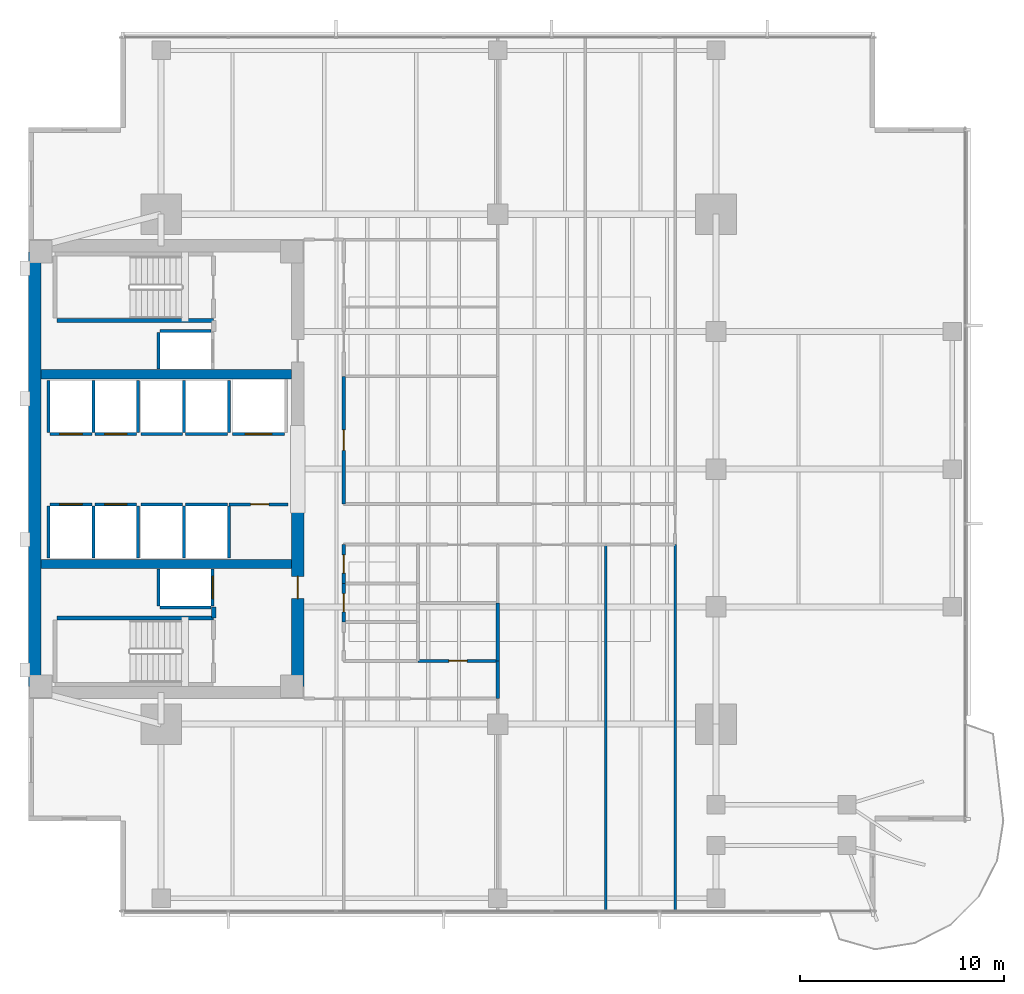
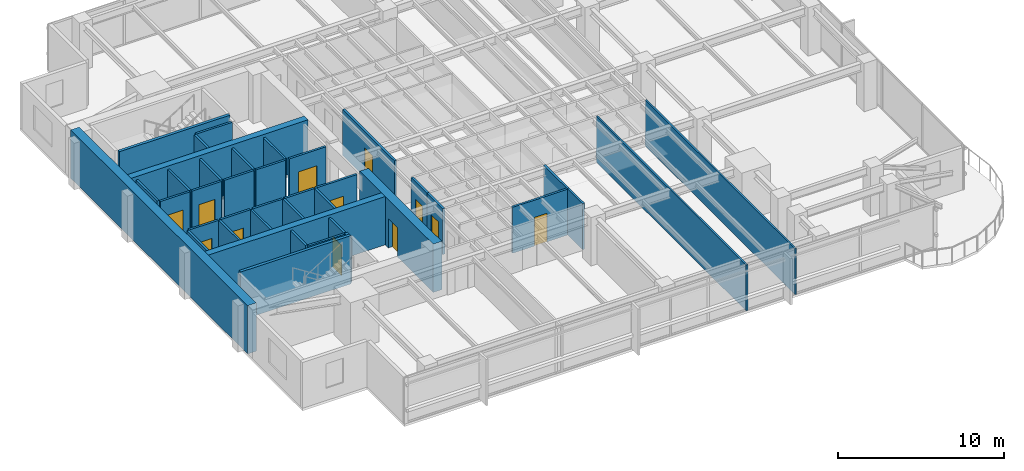
# One storey, part 8 of 14: 40 walls, 12 doors, 12 openings.
"""IFC4 building model written with IfcOpenShell, lengths in metres."""

import ifcopenshell
import ifcopenshell.guid

model = None  # the IFC model being written
_history = None  # IfcOwnerHistory: only IFC2X3 demands one
_inside = {}  # id of a spatial element -> (the spatial element, [elements in it])
_under = {}  # id of a project, library or spatial element -> (it, [spatial elements below it])
_declared = {}  # id of a project -> (the project, [libraries it declares])
_typed = {}  # id of a type object -> (the type object, [elements of that type])
_made_of = {}  # id of a material, layer set ... -> (it, [elements and type objects made of it])


def new_model(schema):
    """Start an empty IFC model of exactly this schema.

    Asked for "IFC4X3", IfcOpenShell would pick the latest addendum, in which some entities
    have other attributes; the version numbers below select the first issue.
    IFC2X3 requires an IfcOwnerHistory on every rooted entity: one is made here for all.
    """
    global model, _history
    if schema == "IFC4X3":
        model = ifcopenshell.file(schema_version=(4, 3, 0, 0))
    else:
        model = ifcopenshell.file(schema=schema)
    _inside.clear()
    _under.clear()
    _declared.clear()
    _typed.clear()
    _made_of.clear()
    _history = None
    if model.schema == "IFC2X3":
        org = make("IfcOrganization", Name="unknown")
        user = make(
            "IfcPersonAndOrganization",
            ThePerson=make("IfcPerson", FamilyName="unknown"),
            TheOrganization=org,
        )
        app = make(
            "IfcApplication",
            ApplicationDeveloper=org,
            Version="unknown",
            ApplicationFullName="unknown",
            ApplicationIdentifier="unknown",
        )
        _history = make(
            "IfcOwnerHistory",
            OwningUser=user,
            OwningApplication=app,
            ChangeAction="ADDED",
            CreationDate=0,
        )
    return model


def make(cls, **values):
    """One entity of the class cls with the attributes given. An attribute that is None is left unset."""
    return model.create_entity(
        cls, **{name: value for name, value in values.items() if value is not None}
    )


def rooted(cls, **values):
    """An entity with a GlobalId (a new one), such as an element, a storey or a relation."""
    return make(cls, GlobalId=ifcopenshell.guid.new(), OwnerHistory=_history, **values)


def si_unit(unit_type, name, prefix=None):
    """IfcSIUnit, for example si_unit("LENGTHUNIT", "METRE", prefix="MILLI")."""
    return make("IfcSIUnit", UnitType=unit_type, Prefix=prefix, Name=name)


def assignment(units):
    """IfcUnitAssignment: the units of a project."""
    return None if units is None else make("IfcUnitAssignment", Units=units)


def point(xyz):
    """IfcCartesianPoint."""
    return None if xyz is None else make("IfcCartesianPoint", Coordinates=xyz)


def direction(xyz):
    """IfcDirection."""
    return None if xyz is None else make("IfcDirection", DirectionRatios=xyz)


def frame(location, z_axis=None, x_axis=None):
    """IfcAxis2Placement3D, a coordinate frame: its origin and axes. An axis left out is left unset."""
    return make(
        "IfcAxis2Placement3D",
        Location=point(location),
        Axis=direction(z_axis),
        RefDirection=direction(x_axis),
    )


def frame_2d(location, x_axis=None):
    """IfcAxis2Placement2D, a coordinate frame in the plane: its origin and x axis."""
    return make(
        "IfcAxis2Placement2D", Location=point(location), RefDirection=direction(x_axis)
    )


def origin():
    """The frame at (0, 0, 0) with its axes left unset."""
    return frame((0.0, 0.0, 0.0))


def place(relative_to, where):
    """IfcLocalPlacement: puts the frame where relative to a parent placement (None: the world)."""
    return make(
        "IfcLocalPlacement", PlacementRelTo=relative_to, RelativePlacement=where
    )


def context(
    kind, dimensions, precision=None, world=None, true_north=None, identifier=None
):
    """IfcGeometricRepresentationContext, for example the 3D "Model" context."""
    return make(
        "IfcGeometricRepresentationContext",
        ContextIdentifier=identifier,
        ContextType=kind,
        CoordinateSpaceDimension=dimensions,
        Precision=precision,
        WorldCoordinateSystem=world,
        TrueNorth=true_north,
    )


def subcontext(parent, identifier, kind, view, scale=None):
    """IfcGeometricRepresentationSubContext, for example "Body" below "Model"."""
    return make(
        "IfcGeometricRepresentationSubContext",
        ContextIdentifier=identifier,
        ContextType=kind,
        ParentContext=parent,
        TargetScale=scale,
        TargetView=view,
    )


def project(units=None, contexts=None):
    """IfcProject with its units and contexts."""
    return rooted(
        "IfcProject",
        Name="project",
        RepresentationContexts=contexts,
        UnitsInContext=assignment(units),
    )


def spatial(cls, under=None, at=None, **own):
    """A site, building, storey or space (cls), placed at a placement, below another one or the project."""
    s = rooted(cls, ObjectPlacement=at, **own)
    if under is not None:
        _under.setdefault(under.id(), (under, []))[1].append(s)
    return s


def profile(cls, at=None, kind="AREA", **sizes):
    """A parametric profile (cls). Its sizes go by their IFC names, for example OverallWidth=200.0."""
    return make(cls, ProfileType=kind, Position=at, **sizes)


def rectangle(**sizes):
    """IfcRectangleProfileDef."""
    return profile("IfcRectangleProfileDef", **sizes)


def extrude(swept, where, along, depth):
    """IfcExtrudedAreaSolid: the profile swept, set in the frame where, extruded along a direction by depth."""
    return make(
        "IfcExtrudedAreaSolid",
        SweptArea=swept,
        Position=where,
        ExtrudedDirection=direction(along),
        Depth=depth,
    )


def shape(context_of_items, identifier, shape_type, items):
    """IfcShapeRepresentation: the items that make up one representation, for example the "Body"."""
    return make(
        "IfcShapeRepresentation",
        ContextOfItems=context_of_items,
        RepresentationIdentifier=identifier,
        RepresentationType=shape_type,
        Items=items,
    )


def material(Name=None, Category=None):
    """IfcMaterial."""
    return make("IfcMaterial", Name=Name, Category=Category)


def layer(
    of_material, thickness, ventilated=None, Name=None, Category=None, Priority=None
):
    """IfcMaterialLayer: one layer of a wall or slab, of a material (None: an air gap)."""
    return make(
        "IfcMaterialLayer",
        Material=of_material,
        LayerThickness=thickness,
        IsVentilated=ventilated,
        Name=Name,
        Category=Category,
        Priority=Priority,
    )


def layer_set(layers, Name=None):
    """IfcMaterialLayerSet."""
    return make("IfcMaterialLayerSet", MaterialLayers=layers, LayerSetName=Name)


def made_of(thing, what):
    """Note that an element or type object is made of a material, layer set ...; save() writes the relation."""
    if what is not None:
        _made_of.setdefault(what.id(), (what, []))[1].append(thing)
    return thing


def type_object(cls, material=None, **own):
    """A type object (cls), such as IfcWallType, which elements share."""
    return made_of(rooted(cls, **own), material)


def element(
    cls,
    number,
    at=None,
    inside=None,
    cuts=None,
    type_object=None,
    material=None,
    context=None,
    identifier="Body",
    shape_type=None,
    held_by="IfcProductDefinitionShape",
    body=None,
    shapes=None,
    **own,
):
    """One element of the class cls, such as IfcWall. Its Tag is "e" and its number.

    at: its placement. inside: the storey or other place that contains it. cuts: it is an
    opening in that element (IfcRelVoidsElement). A single representation is given by context,
    identifier, shape_type and body (its items); several are given by shapes. held_by: the class
    of the entity that holds the representations. save() writes the other relations.
    """
    e = rooted(cls, Tag="e%d" % number, ObjectPlacement=at, **own)
    if body is not None:
        shapes = [shape(context, identifier, shape_type, body)]
    if shapes is not None:
        e.Representation = make(held_by, Representations=shapes)
    if inside is not None:
        _inside.setdefault(inside.id(), (inside, []))[1].append(e)
    if cuts is not None:
        rooted(
            "IfcRelVoidsElement", RelatingBuildingElement=cuts, RelatedOpeningElement=e
        )
    if type_object is not None:
        _typed.setdefault(type_object.id(), (type_object, []))[1].append(e)
    return made_of(e, material)


def fill(opening, filler):
    """IfcRelFillsElement: the door or window that sits in an opening."""
    return rooted(
        "IfcRelFillsElement",
        RelatingOpeningElement=opening,
        RelatedBuildingElement=filler,
    )


def aggregate(whole, parts):
    """IfcRelAggregates: a whole, such as a stair, and the parts it consists of."""
    return rooted("IfcRelAggregates", RelatingObject=whole, RelatedObjects=parts)


def save(model, path):
    """Write the relations noted so far, then the file.

    IfcRelAggregates (storeys below a building ...), IfcRelContainedInSpatialStructure (elements
    in a storey), IfcRelDefinesByType, IfcRelAssociatesMaterial and IfcRelDeclares: one each for
    every whole, place, type object, material and project.
    """
    for whole, parts in _under.values():
        aggregate(whole, parts)
    for where, things in _inside.values():
        rooted(
            "IfcRelContainedInSpatialStructure",
            RelatedElements=things,
            RelatingStructure=where,
        )
    for kind, things in _typed.values():
        rooted("IfcRelDefinesByType", RelatedObjects=things, RelatingType=kind)
    for what, things in _made_of.values():
        rooted("IfcRelAssociatesMaterial", RelatedObjects=things, RelatingMaterial=what)
    for by, libraries in _declared.values():
        rooted("IfcRelDeclares", RelatingContext=by, RelatedDefinitions=libraries)
    model.write(path)


model = new_model("IFC4")

# Units and contexts
model_context = context("Model", 3, precision=1e-05, world=origin(), true_north=direction((0.0, 1.0)))
body_context = subcontext(model_context, "Body", "Model", "MODEL_VIEW")
ifc_project = project(units=[si_unit("LENGTHUNIT", "METRE"), si_unit("AREAUNIT", "SQUARE_METRE"), si_unit("VOLUMEUNIT", "CUBIC_METRE"), si_unit("PLANEANGLEUNIT", "RADIAN"), si_unit("MASSUNIT", "GRAM", prefix="KILO")], contexts=[model_context])

# Site, building, storey
site_placement = place(None, origin())
site = spatial("IfcSite", under=ifc_project, at=site_placement, CompositionType="ELEMENT")
building_placement = place(site_placement, origin())
building = spatial("IfcBuilding", under=site, at=building_placement, Name="Kinhvarn Gate Tower", CompositionType="ELEMENT")
storey_placement = place(building_placement, frame((0.0, 0.0, 130.64990234375)))
storey = spatial("IfcBuildingStorey", under=building, at=storey_placement, Name="L34", CompositionType="ELEMENT", Elevation=130.64990234375)

# Walls
ifc_material_1 = material(Name="Concrete C50/60", Category="concrete")
ifc_layer_1 = layer(ifc_material_1, 0.449951171875)
ifc_layer_set_1 = layer_set([ifc_layer_1], Name="Concrete C50/60")
wall_type_1 = type_object("IfcWallType", Name="WL-CORE-450", PredefinedType="SHEAR", material=ifc_layer_set_1)
for number, where, z_axis, x_axis, name in (
    (1, (5.10009765625, 20.60009765625, 0.0), (0.0, 0.0, 1.0), (1.0, 0.0, 0.0), "Core South Spine Shear Wall L34 450 mm"),
    (2, (5.10009765625, 29.89990234375, 0.0), (0.0, 0.0, 1.0), (1.0, 0.0, 0.0), "Core North Spine Shear Wall L34 450 mm"),
):
    element("IfcWall", number, at=place(storey_placement, frame(where, z_axis=z_axis, x_axis=x_axis)), inside=storey, type_object=wall_type_1, Name=name, PredefinedType="SHEAR", context=body_context, shape_type="SweptSolid", body=[
        extrude(rectangle(XDim=12.2998046875, YDim=0.449951171875, at=frame_2d((6.14990234375, 0.0))), origin(), (0.0, 0.0, 1.0), 3.550048828125),
    ])

# Wall, opening, door
ifc_material_2 = material(Name="Concrete C60/75", Category="concrete")
ifc_layer_2 = layer(ifc_material_2, 0.60009765625)
ifc_layer_set_2 = layer_set([ifc_layer_2], Name="Concrete C60/75")
wall_type_2 = type_object("IfcWallType", Name="WL-CORE-600", PredefinedType="SHEAR", material=ifc_layer_set_2)
wall_1_placement = place(storey_placement, frame((17.699951171875, 14.60009765625, 0.0), z_axis=(0.0, 0.0, 1.0), x_axis=(0.0, 1.0, 0.0)))
wall_1 = element("IfcWall", 3, at=wall_1_placement, inside=storey, type_object=wall_type_2, Name="Core East-South Shear Pier L34 600 mm", PredefinedType="SHEAR", context=body_context, shape_type="SweptSolid", body=[
    extrude(rectangle(XDim=8.849853515625, YDim=0.60009765625, at=frame_2d((4.4248046875, 0.0))), origin(), (0.0, 0.0, 1.0), 3.550048828125),
])
opening_1_placement = place(wall_1_placement, frame((4.300048828125, 0.0, 0.0)))
opening_1 = element("IfcOpeningElement", 4, at=opening_1_placement, cuts=wall_1, Name="Opening FD-02", PredefinedType="OPENING", context=body_context, shape_type="SweptSolid", body=[
    extrude(rectangle(XDim=1.10009765625, YDim=2.14990234375, at=frame_2d((0.550048828125, 1.074951171875))), frame((0.0, 0.31005859375, 0.0), z_axis=(0.0, -1.0, 0.0), x_axis=(1.0, 0.0, 0.0)), (0.0, 0.0, 1.0), 0.6201171875),
])
ifc_material_3 = material(Name="Anodised aluminium AW-6063", Category="aluminium")
door_type_1 = type_object("IfcDoorType", Name="DR-FD-1100", OperationType="NOTDEFINED", PredefinedType="DOOR", material=ifc_material_3)
door_1_placement = place(opening_1_placement, origin())
door_1 = element("IfcDoor", 5, at=door_1_placement, inside=storey, type_object=door_type_1, Name="Firefighting Lobby Core Door (L34)", OperationType="SINGLE_SWING_RIGHT", OverallHeight=2.14990234375, OverallWidth=1.10009765625, PredefinedType="DOOR", context=body_context, shape_type="SweptSolid", body=[
    extrude(rectangle(XDim=1.10009765625, YDim=2.14990234375, at=frame_2d((0.550048828125, 1.074951171875))), frame((0.0, 0.02490234375, 0.0), z_axis=(0.0, -1.0, 0.0), x_axis=(1.0, 0.0, 0.0)), (0.0, 0.0, 1.0), 0.050048828125),
])
fill(opening_1, door_1)

# Walls
ifc_layer_3 = layer(ifc_material_2, 0.60009765625)
ifc_layer_set_3 = layer_set([ifc_layer_3], Name="Concrete C60/75")
wall_type_3 = type_object("IfcWallType", Name="WL-COREX-600", PredefinedType="SHEAR", material=ifc_layer_set_3)
wall_2_placement = place(storey_placement, frame((4.800048828125, 14.60009765625, 0.0), z_axis=(0.0, 0.0, 1.0), x_axis=(0.0, 1.0, 0.0)))
element("IfcWall", 6, at=wall_2_placement, inside=storey, type_object=wall_type_3, Name="Core West Shear Wall L34 600 mm", PredefinedType="SHEAR", context=body_context, shape_type="SweptSolid", body=[
    extrude(rectangle(XDim=21.2998046875, YDim=0.60009765625, at=frame_2d((10.64990234375, 0.0))), origin(), (0.0, 0.0, 1.0), 3.550048828125),
])
ifc_material_4 = material(Name="Gypsum acoustic partition board")
ifc_layer_4 = layer(ifc_material_4, 0.14990234375)
ifc_layer_set_4 = layer_set([ifc_layer_4], Name="Gypsum acoustic partition board")
wall_type_4 = type_object("IfcWallType", Name="WL-PLM-150", PredefinedType="PLUMBINGWALL", material=ifc_layer_set_4)
wall_3_placement = place(storey_placement, frame((27.5, 15.85009765625, 0.0), z_axis=(0.0, 0.0, 1.0), x_axis=(0.0, 1.0, 0.0)))
element("IfcWall", 7, at=wall_3_placement, inside=storey, type_object=wall_type_4, Name="Interior Partition PLW-150 (L34)", PredefinedType="PLUMBINGWALL", context=body_context, shape_type="SweptSolid", body=[
    extrude(rectangle(XDim=2.849853515625, YDim=0.14990234375, at=frame_2d((1.4248046875, 0.0))), origin(), (0.0, 0.0, 1.0), 3.3701171875),
])

# Wall, opening, door
ifc_layer_5 = layer(ifc_material_4, 0.14990234375)
ifc_layer_set_5 = layer_set([ifc_layer_5], Name="Gypsum acoustic partition board")
wall_type_5 = type_object("IfcWallType", Name="WL-PLM-150F", PredefinedType="PLUMBINGWALL", material=ifc_layer_set_5)
wall_4_placement = place(storey_placement, frame((19.949951171875, 17.75, 0.0), z_axis=(0.0, 0.0, 1.0), x_axis=(0.0, 1.0, 0.0)))
wall_4 = element("IfcWall", 8, at=wall_4_placement, inside=storey, type_object=wall_type_5, Name="Interior Partition PLW-150F (L34)", PredefinedType="PLUMBINGWALL", context=body_context, shape_type="SweptSolid", body=[
    extrude(rectangle(XDim=1.89990234375, YDim=0.14990234375, at=frame_2d((0.949951171875, 0.0))), origin(), (0.0, 0.0, 1.0), 3.3701171875),
])
opening_2_placement = place(wall_4_placement, frame((0.5, 0.0, 0.0)))
opening_2 = element("IfcOpeningElement", 9, at=opening_2_placement, cuts=wall_4, Name="Opening FD-04", PredefinedType="OPENING", context=body_context, shape_type="SweptSolid", body=[
    extrude(rectangle(XDim=0.89990234375, YDim=2.10009765625, at=frame_2d((0.449951171875, 1.050048828125))), frame((0.0, 0.0849609375, 0.0), z_axis=(0.0, -1.0, 0.0), x_axis=(1.0, 0.0, 0.0)), (0.0, 0.0, 1.0), 0.169921875),
])
door_type_2 = type_object("IfcDoorType", Name="DR-FD-900", OperationType="NOTDEFINED", PredefinedType="DOOR", material=ifc_material_3)
door_2_placement = place(opening_2_placement, origin())
door_2 = element("IfcDoor", 10, at=door_2_placement, inside=storey, type_object=door_type_2, Name="Rated Riser & Service Closet Fire Door 900x2100 mm (L34)", OperationType="SINGLE_SWING_RIGHT", OverallHeight=2.10009765625, OverallWidth=0.89990234375, PredefinedType="DOOR", context=body_context, shape_type="SweptSolid", body=[
    extrude(rectangle(XDim=0.89990234375, YDim=2.10009765625, at=frame_2d((0.449951171875, 1.050048828125))), frame((0.0, 0.02490234375, 0.0), z_axis=(0.0, -1.0, 0.0), x_axis=(1.0, 0.0, 0.0)), (0.0, 0.0, 1.0), 0.050048828125),
])
fill(opening_2, door_2)

wall_5_placement = place(storey_placement, frame((19.949951171875, 19.64990234375, 0.0), z_axis=(0.0, 0.0, 1.0), x_axis=(0.0, 1.0, 0.0)))
wall_5 = element("IfcWall", 11, at=wall_5_placement, inside=storey, type_object=wall_type_5, Name="Interior Partition PLW-150F (L34)", PredefinedType="PLUMBINGWALL", context=body_context, shape_type="SweptSolid", body=[
    extrude(rectangle(XDim=1.900146484375, YDim=0.14990234375, at=frame_2d((0.9501953125, 0.0))), origin(), (0.0, 0.0, 1.0), 3.3701171875),
])
opening_3_placement = place(wall_5_placement, frame((0.5, 0.0, 0.0)))
opening_3 = element("IfcOpeningElement", 12, at=opening_3_placement, cuts=wall_5, Name="Opening FD-04", PredefinedType="OPENING", context=body_context, shape_type="SweptSolid", body=[
    extrude(rectangle(XDim=0.89990234375, YDim=2.10009765625, at=frame_2d((0.449951171875, 1.050048828125))), frame((0.0, 0.0849609375, 0.0), z_axis=(0.0, -1.0, 0.0), x_axis=(1.0, 0.0, 0.0)), (0.0, 0.0, 1.0), 0.169921875),
])
door_3_placement = place(opening_3_placement, origin())
door_3 = element("IfcDoor", 13, at=door_3_placement, inside=storey, type_object=door_type_2, Name="Rated Riser & Service Closet Fire Door 900x2100 mm (L34)", OperationType="SINGLE_SWING_LEFT", OverallHeight=2.10009765625, OverallWidth=0.89990234375, PredefinedType="DOOR", context=body_context, shape_type="SweptSolid", body=[
    extrude(rectangle(XDim=0.89990234375, YDim=2.10009765625, at=frame_2d((0.449951171875, 1.050048828125))), frame((0.0, 0.02490234375, 0.0), z_axis=(0.0, -1.0, 0.0), x_axis=(1.0, 0.0, 0.0)), (0.0, 0.0, 1.0), 0.050048828125),
])
fill(opening_3, door_3)

wall_6_placement = place(storey_placement, frame((23.60009765625, 15.85009765625, 0.0), z_axis=(0.0, 0.0, 1.0), x_axis=(1.0, 0.0, 0.0)))
wall_6 = element("IfcWall", 14, at=wall_6_placement, inside=storey, type_object=wall_type_5, Name="Interior Partition PLW-150F (L34)", PredefinedType="PLUMBINGWALL", context=body_context, shape_type="SweptSolid", body=[
    extrude(rectangle(XDim=3.89990234375, YDim=0.14990234375, at=frame_2d((1.949951171875, 0.0))), origin(), (0.0, 0.0, 1.0), 3.3701171875),
])
opening_4_placement = place(wall_6_placement, frame((1.5, 0.0, 0.0)))
opening_4 = element("IfcOpeningElement", 15, at=opening_4_placement, cuts=wall_6, Name="Opening FD-04", PredefinedType="OPENING", context=body_context, shape_type="SweptSolid", body=[
    extrude(rectangle(XDim=0.89990234375, YDim=2.10009765625, at=frame_2d((0.449951171875, 1.050048828125))), frame((0.0, 0.0849609375, 0.0), z_axis=(0.0, -1.0, 0.0), x_axis=(1.0, 0.0, 0.0)), (0.0, 0.0, 1.0), 0.169921875),
])
door_4_placement = place(opening_4_placement, origin())
door_4 = element("IfcDoor", 16, at=door_4_placement, inside=storey, type_object=door_type_2, Name="Rated Riser & Service Closet Fire Door 900x2100 mm (L34)", OperationType="SINGLE_SWING_LEFT", OverallHeight=2.10009765625, OverallWidth=0.89990234375, PredefinedType="DOOR", context=body_context, shape_type="SweptSolid", body=[
    extrude(rectangle(XDim=0.89990234375, YDim=2.10009765625, at=frame_2d((0.449951171875, 1.050048828125))), frame((0.0, 0.02490234375, 0.0), z_axis=(0.0, -1.0, 0.0), x_axis=(1.0, 0.0, 0.0)), (0.0, 0.0, 1.0), 0.050048828125),
])
fill(opening_4, door_4)

# Walls
ifc_layer_6 = layer(ifc_material_4, 0.1201171875)
ifc_layer_set_6 = layer_set([ifc_layer_6], Name="Gypsum acoustic partition board")
wall_type_6 = type_object("IfcWallType", Name="WL-PRT-120", PredefinedType="PARTITIONING", material=ifc_layer_set_6)
for number, where, z_axis, x_axis, name in (
    (17, (32.800048828125, 3.510009765625, 0.0), (0.0, 0.0, 1.0), (0.0, 1.0, 0.0), "Interior Partition PW-120 (L34)"),
    (18, (36.199951171875, 3.510009765625, 0.0), (0.0, 0.0, 1.0), (0.0, 1.0, 0.0), "Interior Partition PW-120 (L34)"),
):
    element("IfcWall", number, at=place(storey_placement, frame(where, z_axis=z_axis, x_axis=x_axis)), inside=storey, type_object=wall_type_6, Name=name, PredefinedType="PARTITIONING", context=body_context, shape_type="SweptSolid", body=[
        extrude(rectangle(XDim=18.0400390625, YDim=0.1201171875, at=frame_2d((9.02001953125, 0.0))), origin(), (0.0, 0.0, 1.0), 3.3701171875),
    ])

# Wall, opening, door
ifc_layer_7 = layer(ifc_material_4, 0.14990234375)
ifc_layer_set_7 = layer_set([ifc_layer_7], Name="Gypsum acoustic partition board")
wall_type_7 = type_object("IfcWallType", Name="WL-PRT-150F", PredefinedType="PARTITIONING", material=ifc_layer_set_7)
wall_7_placement = place(storey_placement, frame((14.330078125, 23.52001953125, 0.0), z_axis=(0.0, 0.0, 1.0), x_axis=(1.0, 0.0, 0.0)))
wall_7 = element("IfcWall", 19, at=wall_7_placement, inside=storey, type_object=wall_type_7, Name="Interior Partition PW-150F (L34)", PredefinedType="PARTITIONING", context=body_context, shape_type="SweptSolid", body=[
    extrude(rectangle(XDim=2.889892578125, YDim=0.14990234375, at=frame_2d((1.44482421875, 0.0))), origin(), (0.0, 0.0, 1.0), 3.3701171875),
])
opening_5_placement = place(wall_7_placement, frame((1.052734375, 0.0, 0.0)))
opening_5 = element("IfcOpeningElement", 20, at=opening_5_placement, cuts=wall_7, Name="Opening FD-04", PredefinedType="OPENING", context=body_context, shape_type="SweptSolid", body=[
    extrude(rectangle(XDim=0.89990234375, YDim=2.10009765625, at=frame_2d((0.449951171875, 1.050048828125))), frame((0.0, 0.0849609375, 0.0), z_axis=(0.0, -1.0, 0.0), x_axis=(1.0, 0.0, 0.0)), (0.0, 0.0, 1.0), 0.169921875),
])
door_5_placement = place(opening_5_placement, origin())
door_5 = element("IfcDoor", 21, at=door_5_placement, inside=storey, type_object=door_type_2, Name="Rated Riser & Service Closet Fire Door 900x2100 mm (L34)", OperationType="SINGLE_SWING_RIGHT", OverallHeight=2.10009765625, OverallWidth=0.89990234375, PredefinedType="DOOR", context=body_context, shape_type="SweptSolid", body=[
    extrude(rectangle(XDim=0.89990234375, YDim=2.10009765625, at=frame_2d((0.449951171875, 1.050048828125))), frame((0.0, 0.02490234375, 0.0), z_axis=(0.0, -1.0, 0.0), x_axis=(1.0, 0.0, 0.0)), (0.0, 0.0, 1.0), 0.050048828125),
])
fill(opening_5, door_5)

wall_8_placement = place(storey_placement, frame((19.949951171875, 23.550048828125, 0.0), z_axis=(0.0, 0.0, 1.0), x_axis=(0.0, 1.0, 0.0)))
wall_8 = element("IfcWall", 22, at=wall_8_placement, inside=storey, type_object=wall_type_7, Name="Interior Partition PW-150F (L34)", PredefinedType="PARTITIONING", context=body_context, shape_type="SweptSolid", body=[
    extrude(rectangle(XDim=6.25, YDim=0.14990234375, at=frame_2d((3.125, 0.0))), origin(), (0.0, 0.0, 1.0), 3.3701171875),
])
opening_6_placement = place(wall_8_placement, frame((2.625, 0.0, 0.0)))
opening_6 = element("IfcOpeningElement", 23, at=opening_6_placement, cuts=wall_8, Name="Opening ID-02", PredefinedType="OPENING", context=body_context, shape_type="SweptSolid", body=[
    extrude(rectangle(XDim=1.0, YDim=2.14990234375, at=frame_2d((0.5, 1.074951171875))), frame((0.0, 0.0849609375, 0.0), z_axis=(0.0, -1.0, 0.0), x_axis=(1.0, 0.0, 0.0)), (0.0, 0.0, 1.0), 0.169921875),
])
door_type_3 = type_object("IfcDoorType", Name="DR-INT-1000", OperationType="NOTDEFINED", PredefinedType="DOOR", material=ifc_material_3)
door_6_placement = place(opening_6_placement, origin())
door_6 = element("IfcDoor", 24, at=door_6_placement, inside=storey, type_object=door_type_3, Name="Standard Office & Meeting Room Door 1000x2150 mm (L34)", OperationType="SINGLE_SWING_RIGHT", OverallHeight=2.14990234375, OverallWidth=1.0, PredefinedType="DOOR", context=body_context, shape_type="SweptSolid", body=[
    extrude(rectangle(XDim=1.0, YDim=2.14990234375, at=frame_2d((0.5, 1.074951171875))), frame((0.0, 0.02490234375, 0.0), z_axis=(0.0, -1.0, 0.0), x_axis=(1.0, 0.0, 0.0)), (0.0, 0.0, 1.0), 0.050048828125),
])
fill(opening_6, door_6)

# Walls
wall_9_placement = place(storey_placement, frame((27.5, 14.0, 0.0), z_axis=(0.0, 0.0, 1.0), x_axis=(0.0, 1.0, 0.0)))
element("IfcWall", 25, at=wall_9_placement, inside=storey, type_object=wall_type_7, Name="Interior Partition PW-150F (L34)", PredefinedType="PARTITIONING", context=body_context, shape_type="SweptSolid", body=[
    extrude(rectangle(XDim=1.85009765625, YDim=0.14990234375, at=frame_2d((0.925048828125, 0.0))), origin(), (0.0, 0.0, 1.0), 3.3701171875),
])
ifc_layer_8 = layer(ifc_material_4, 0.199951171875)
ifc_layer_set_8 = layer_set([ifc_layer_8], Name="Gypsum acoustic partition board")
wall_type_8 = type_object("IfcWallType", Name="WL-PRT-200", PredefinedType="PARTITIONING", material=ifc_layer_set_8)
wall_10_placement = place(storey_placement, frame((13.580078125, 17.9599609375, 0.0), z_axis=(0.0, 0.0, 1.0), x_axis=(0.0, 1.0, 0.0)))
element("IfcWall", 26, at=wall_10_placement, inside=storey, type_object=wall_type_8, Name="Interior Partition PW-200 (L34)", PredefinedType="PARTITIONING", context=body_context, shape_type="SweptSolid", body=[
    extrude(rectangle(XDim=0.5400390625, YDim=0.199951171875, at=frame_2d((0.27001953125, 0.0))), origin(), (0.0, 0.0, 1.0), 3.3701171875),
])

# Wall, opening, door
ifc_layer_9 = layer(ifc_material_4, 0.14990234375)
ifc_layer_set_9 = layer_set([ifc_layer_9], Name="Gypsum acoustic partition board")
wall_type_9 = type_object("IfcWallType", Name="WL-SHF-150", PredefinedType="PARTITIONING", material=ifc_layer_set_9)
wall_11_placement = place(storey_placement, frame((5.550048828125, 23.52490234375, 0.0), z_axis=(0.0, 0.0, 1.0), x_axis=(1.0, 0.0, 0.0)))
wall_11 = element("IfcWall", 27, at=wall_11_placement, inside=storey, type_object=wall_type_9, Name="Elevator PM-05 Landing Wall (L34)", PredefinedType="PARTITIONING", context=body_context, shape_type="SweptSolid", body=[
    extrude(rectangle(XDim=2.050048828125, YDim=0.14990234375, at=frame_2d((1.02490234375, 0.0))), origin(), (0.0, 0.0, 1.0), 3.3701171875),
])
opening_7_placement = place(wall_11_placement, frame((0.47509765625, 0.0, 0.0)))
opening_7 = element("IfcOpeningElement", 28, at=opening_7_placement, cuts=wall_11, Name="Opening LD-01", PredefinedType="OPENING", context=body_context, shape_type="SweptSolid", body=[
    extrude(rectangle(XDim=1.10009765625, YDim=2.199951171875, at=frame_2d((0.550048828125, 1.10009765625))), frame((0.0, 0.0849609375, 0.0), z_axis=(0.0, -1.0, 0.0), x_axis=(1.0, 0.0, 0.0)), (0.0, 0.0, 1.0), 0.169921875),
])
door_type_4 = type_object("IfcDoorType", Name="DR-LND-PAS", OperationType="NOTDEFINED", PredefinedType="DOOR", material=ifc_material_3)
door_7_placement = place(opening_7_placement, origin())
door_7 = element("IfcDoor", 29, at=door_7_placement, inside=storey, type_object=door_type_4, Name="Elevator PM-05 Sliding Landing Door (L34)", OperationType="DOUBLE_DOOR_SLIDING", OverallHeight=2.199951171875, OverallWidth=1.10009765625, PredefinedType="DOOR", context=body_context, shape_type="SweptSolid", body=[
    extrude(rectangle(XDim=1.10009765625, YDim=2.199951171875, at=frame_2d((0.550048828125, 1.10009765625))), frame((0.0, 0.02490234375, 0.0), z_axis=(0.0, -1.0, 0.0), x_axis=(1.0, 0.0, 0.0)), (0.0, 0.0, 1.0), 0.050048828125),
])
fill(opening_7, door_7)

# Walls
for number, where, z_axis, x_axis, name in (
    (30, (5.47509765625, 20.89990234375, 0.0), (0.0, 0.0, 1.0), (0.0, 1.0, 0.0), "Elevator PM-05 Hoistway Wall W (L34)"),
    (31, (7.675048828125, 20.89990234375, 0.0), (0.0, 0.0, 1.0), (0.0, 1.0, 0.0), "Elevator PM-05 Hoistway Wall E (L34)"),
):
    element("IfcWall", number, at=place(storey_placement, frame(where, z_axis=z_axis, x_axis=x_axis)), inside=storey, type_object=wall_type_9, Name=name, PredefinedType="PARTITIONING", context=body_context, shape_type="SweptSolid", body=[
        extrude(rectangle(XDim=2.550048828125, YDim=0.14990234375, at=frame_2d((1.27490234375, 0.0))), origin(), (0.0, 0.0, 1.0), 3.3701171875),
    ])

# Wall, opening, door
wall_12_placement = place(storey_placement, frame((7.75, 23.52490234375, 0.0), z_axis=(0.0, 0.0, 1.0), x_axis=(1.0, 0.0, 0.0)))
wall_12 = element("IfcWall", 32, at=wall_12_placement, inside=storey, type_object=wall_type_9, Name="Elevator PM-06 Landing Wall (L34)", PredefinedType="PARTITIONING", context=body_context, shape_type="SweptSolid", body=[
    extrude(rectangle(XDim=2.050048828125, YDim=0.14990234375, at=frame_2d((1.02490234375, 0.0))), origin(), (0.0, 0.0, 1.0), 3.3701171875),
])
opening_8_placement = place(wall_12_placement, frame((0.47509765625, 0.0, 0.0)))
opening_8 = element("IfcOpeningElement", 33, at=opening_8_placement, cuts=wall_12, Name="Opening LD-01", PredefinedType="OPENING", context=body_context, shape_type="SweptSolid", body=[
    extrude(rectangle(XDim=1.10009765625, YDim=2.199951171875, at=frame_2d((0.550048828125, 1.10009765625))), frame((0.0, 0.0849609375, 0.0), z_axis=(0.0, -1.0, 0.0), x_axis=(1.0, 0.0, 0.0)), (0.0, 0.0, 1.0), 0.169921875),
])
door_8_placement = place(opening_8_placement, origin())
door_8 = element("IfcDoor", 34, at=door_8_placement, inside=storey, type_object=door_type_4, Name="Elevator PM-06 Sliding Landing Door (L34)", OperationType="DOUBLE_DOOR_SLIDING", OverallHeight=2.199951171875, OverallWidth=1.10009765625, PredefinedType="DOOR", context=body_context, shape_type="SweptSolid", body=[
    extrude(rectangle(XDim=1.10009765625, YDim=2.199951171875, at=frame_2d((0.550048828125, 1.10009765625))), frame((0.0, 0.02490234375, 0.0), z_axis=(0.0, -1.0, 0.0), x_axis=(1.0, 0.0, 0.0)), (0.0, 0.0, 1.0), 0.050048828125),
])
fill(opening_8, door_8)

# Wall
wall_13_placement = place(storey_placement, frame((9.875, 20.89990234375, 0.0), z_axis=(0.0, 0.0, 1.0), x_axis=(0.0, 1.0, 0.0)))
element("IfcWall", 35, at=wall_13_placement, inside=storey, type_object=wall_type_9, Name="Elevator PM-06 Hoistway Wall E (L34)", PredefinedType="PARTITIONING", context=body_context, shape_type="SweptSolid", body=[
    extrude(rectangle(XDim=2.550048828125, YDim=0.14990234375, at=frame_2d((1.27490234375, 0.0))), origin(), (0.0, 0.0, 1.0), 3.3701171875),
])

# Wall, opening, door
wall_14_placement = place(storey_placement, frame((5.550048828125, 26.97509765625, 0.0), z_axis=(0.0, 0.0, 1.0), x_axis=(1.0, 0.0, 0.0)))
wall_14 = element("IfcWall", 36, at=wall_14_placement, inside=storey, type_object=wall_type_9, Name="Elevator PM-07 Landing Wall (L34)", PredefinedType="PARTITIONING", context=body_context, shape_type="SweptSolid", body=[
    extrude(rectangle(XDim=2.050048828125, YDim=0.14990234375, at=frame_2d((1.02490234375, 0.0))), origin(), (0.0, 0.0, 1.0), 3.3701171875),
])
opening_9_placement = place(wall_14_placement, frame((0.47509765625, 0.0, 0.0)))
opening_9 = element("IfcOpeningElement", 37, at=opening_9_placement, cuts=wall_14, Name="Opening LD-01", PredefinedType="OPENING", context=body_context, shape_type="SweptSolid", body=[
    extrude(rectangle(XDim=1.10009765625, YDim=2.199951171875, at=frame_2d((0.550048828125, 1.10009765625))), frame((0.0, 0.0849609375, 0.0), z_axis=(0.0, -1.0, 0.0), x_axis=(1.0, 0.0, 0.0)), (0.0, 0.0, 1.0), 0.169921875),
])
door_9_placement = place(opening_9_placement, origin())
door_9 = element("IfcDoor", 38, at=door_9_placement, inside=storey, type_object=door_type_4, Name="Elevator PM-07 Sliding Landing Door (L34)", OperationType="DOUBLE_DOOR_SLIDING", OverallHeight=2.199951171875, OverallWidth=1.10009765625, PredefinedType="DOOR", context=body_context, shape_type="SweptSolid", body=[
    extrude(rectangle(XDim=1.10009765625, YDim=2.199951171875, at=frame_2d((0.550048828125, 1.10009765625))), frame((0.0, 0.02490234375, 0.0), z_axis=(0.0, -1.0, 0.0), x_axis=(1.0, 0.0, 0.0)), (0.0, 0.0, 1.0), 0.050048828125),
])
fill(opening_9, door_9)

# Walls
for number, where, z_axis, x_axis, name in (
    (39, (5.47509765625, 27.050048828125, 0.0), (0.0, 0.0, 1.0), (0.0, 1.0, 0.0), "Elevator PM-07 Hoistway Wall W (L34)"),
    (40, (7.675048828125, 27.050048828125, 0.0), (0.0, 0.0, 1.0), (0.0, 1.0, 0.0), "Elevator PM-07 Hoistway Wall E (L34)"),
):
    element("IfcWall", number, at=place(storey_placement, frame(where, z_axis=z_axis, x_axis=x_axis)), inside=storey, type_object=wall_type_9, Name=name, PredefinedType="PARTITIONING", context=body_context, shape_type="SweptSolid", body=[
        extrude(rectangle(XDim=2.550048828125, YDim=0.14990234375, at=frame_2d((1.27490234375, 0.0))), origin(), (0.0, 0.0, 1.0), 3.3701171875),
    ])

# Wall, opening, door
wall_15_placement = place(storey_placement, frame((7.75, 26.97509765625, 0.0), z_axis=(0.0, 0.0, 1.0), x_axis=(1.0, 0.0, 0.0)))
wall_15 = element("IfcWall", 41, at=wall_15_placement, inside=storey, type_object=wall_type_9, Name="Elevator PM-08 Landing Wall (L34)", PredefinedType="PARTITIONING", context=body_context, shape_type="SweptSolid", body=[
    extrude(rectangle(XDim=2.050048828125, YDim=0.14990234375, at=frame_2d((1.02490234375, 0.0))), origin(), (0.0, 0.0, 1.0), 3.3701171875),
])
opening_10_placement = place(wall_15_placement, frame((0.47509765625, 0.0, 0.0)))
opening_10 = element("IfcOpeningElement", 42, at=opening_10_placement, cuts=wall_15, Name="Opening LD-01", PredefinedType="OPENING", context=body_context, shape_type="SweptSolid", body=[
    extrude(rectangle(XDim=1.10009765625, YDim=2.199951171875, at=frame_2d((0.550048828125, 1.10009765625))), frame((0.0, 0.0849609375, 0.0), z_axis=(0.0, -1.0, 0.0), x_axis=(1.0, 0.0, 0.0)), (0.0, 0.0, 1.0), 0.169921875),
])
door_10_placement = place(opening_10_placement, origin())
door_10 = element("IfcDoor", 43, at=door_10_placement, inside=storey, type_object=door_type_4, Name="Elevator PM-08 Sliding Landing Door (L34)", OperationType="DOUBLE_DOOR_SLIDING", OverallHeight=2.199951171875, OverallWidth=1.10009765625, PredefinedType="DOOR", context=body_context, shape_type="SweptSolid", body=[
    extrude(rectangle(XDim=1.10009765625, YDim=2.199951171875, at=frame_2d((0.550048828125, 1.10009765625))), frame((0.0, 0.02490234375, 0.0), z_axis=(0.0, -1.0, 0.0), x_axis=(1.0, 0.0, 0.0)), (0.0, 0.0, 1.0), 0.050048828125),
])
fill(opening_10, door_10)

# Walls
wall_16_placement = place(storey_placement, frame((9.875, 27.050048828125, 0.0), z_axis=(0.0, 0.0, 1.0), x_axis=(0.0, 1.0, 0.0)))
element("IfcWall", 44, at=wall_16_placement, inside=storey, type_object=wall_type_9, Name="Elevator PM-08 Hoistway Wall E (L34)", PredefinedType="PARTITIONING", context=body_context, shape_type="SweptSolid", body=[
    extrude(rectangle(XDim=2.550048828125, YDim=0.14990234375, at=frame_2d((1.27490234375, 0.0))), origin(), (0.0, 0.0, 1.0), 3.3701171875),
])
wall_17_placement = place(storey_placement, frame((10.0, 23.52490234375, 0.0), z_axis=(0.0, 0.0, 1.0), x_axis=(1.0, 0.0, 0.0)))
element("IfcWall", 45, at=wall_17_placement, inside=storey, type_object=wall_type_9, Name="Elevator PH-09 Landing Wall (L34)", PredefinedType="PARTITIONING", context=body_context, shape_type="SweptSolid", body=[
    extrude(rectangle(XDim=2.050048828125, YDim=0.14990234375, at=frame_2d((1.02490234375, 0.0))), origin(), (0.0, 0.0, 1.0), 3.3701171875),
])
wall_18_placement = place(storey_placement, frame((12.125, 20.89990234375, 0.0), z_axis=(0.0, 0.0, 1.0), x_axis=(0.0, 1.0, 0.0)))
element("IfcWall", 46, at=wall_18_placement, inside=storey, type_object=wall_type_9, Name="Elevator PH-09 Hoistway Wall E (L34)", PredefinedType="PARTITIONING", context=body_context, shape_type="SweptSolid", body=[
    extrude(rectangle(XDim=2.550048828125, YDim=0.14990234375, at=frame_2d((1.27490234375, 0.0))), origin(), (0.0, 0.0, 1.0), 3.3701171875),
])
wall_19_placement = place(storey_placement, frame((12.199951171875, 23.52490234375, 0.0), z_axis=(0.0, 0.0, 1.0), x_axis=(1.0, 0.0, 0.0)))
element("IfcWall", 47, at=wall_19_placement, inside=storey, type_object=wall_type_9, Name="Elevator PH-10 Landing Wall (L34)", PredefinedType="PARTITIONING", context=body_context, shape_type="SweptSolid", body=[
    extrude(rectangle(XDim=2.050048828125, YDim=0.14990234375, at=frame_2d((1.02490234375, 0.0))), origin(), (0.0, 0.0, 1.0), 3.3701171875),
])
wall_20_placement = place(storey_placement, frame((14.324951171875, 20.89990234375, 0.0), z_axis=(0.0, 0.0, 1.0), x_axis=(0.0, 1.0, 0.0)))
element("IfcWall", 48, at=wall_20_placement, inside=storey, type_object=wall_type_9, Name="Elevator PH-10 Hoistway Wall E (L34)", PredefinedType="PARTITIONING", context=body_context, shape_type="SweptSolid", body=[
    extrude(rectangle(XDim=2.550048828125, YDim=0.14990234375, at=frame_2d((1.27490234375, 0.0))), origin(), (0.0, 0.0, 1.0), 3.3701171875),
])
wall_21_placement = place(storey_placement, frame((10.0, 26.97509765625, 0.0), z_axis=(0.0, 0.0, 1.0), x_axis=(1.0, 0.0, 0.0)))
element("IfcWall", 49, at=wall_21_placement, inside=storey, type_object=wall_type_9, Name="Elevator PH-11 Landing Wall (L34)", PredefinedType="PARTITIONING", context=body_context, shape_type="SweptSolid", body=[
    extrude(rectangle(XDim=2.050048828125, YDim=0.14990234375, at=frame_2d((1.02490234375, 0.0))), origin(), (0.0, 0.0, 1.0), 3.3701171875),
])
wall_22_placement = place(storey_placement, frame((12.125, 27.050048828125, 0.0), z_axis=(0.0, 0.0, 1.0), x_axis=(0.0, 1.0, 0.0)))
element("IfcWall", 50, at=wall_22_placement, inside=storey, type_object=wall_type_9, Name="Elevator PH-11 Hoistway Wall E (L34)", PredefinedType="PARTITIONING", context=body_context, shape_type="SweptSolid", body=[
    extrude(rectangle(XDim=2.550048828125, YDim=0.14990234375, at=frame_2d((1.27490234375, 0.0))), origin(), (0.0, 0.0, 1.0), 3.3701171875),
])
wall_23_placement = place(storey_placement, frame((12.199951171875, 26.97509765625, 0.0), z_axis=(0.0, 0.0, 1.0), x_axis=(1.0, 0.0, 0.0)))
element("IfcWall", 51, at=wall_23_placement, inside=storey, type_object=wall_type_9, Name="Elevator PH-12 Landing Wall (L34)", PredefinedType="PARTITIONING", context=body_context, shape_type="SweptSolid", body=[
    extrude(rectangle(XDim=2.050048828125, YDim=0.14990234375, at=frame_2d((1.02490234375, 0.0))), origin(), (0.0, 0.0, 1.0), 3.3701171875),
])
wall_24_placement = place(storey_placement, frame((14.324951171875, 27.050048828125, 0.0), z_axis=(0.0, 0.0, 1.0), x_axis=(0.0, 1.0, 0.0)))
element("IfcWall", 52, at=wall_24_placement, inside=storey, type_object=wall_type_9, Name="Elevator PH-12 Hoistway Wall E (L34)", PredefinedType="PARTITIONING", context=body_context, shape_type="SweptSolid", body=[
    extrude(rectangle(XDim=2.550048828125, YDim=0.14990234375, at=frame_2d((1.27490234375, 0.0))), origin(), (0.0, 0.0, 1.0), 3.3701171875),
])

# Wall, opening, door
wall_25_placement = place(storey_placement, frame((14.5, 26.97509765625, 0.0), z_axis=(0.0, 0.0, 1.0), x_axis=(1.0, 0.0, 0.0)))
wall_25 = element("IfcWall", 53, at=wall_25_placement, inside=storey, type_object=wall_type_9, Name="Elevator SV-01 Landing Wall (L34)", PredefinedType="PARTITIONING", context=body_context, shape_type="SweptSolid", body=[
    extrude(rectangle(XDim=2.550048828125, YDim=0.14990234375, at=frame_2d((1.27490234375, 0.0))), origin(), (0.0, 0.0, 1.0), 3.3701171875),
])
opening_11_placement = place(wall_25_placement, frame((0.625, 0.0, 0.0)))
opening_11 = element("IfcOpeningElement", 54, at=opening_11_placement, cuts=wall_25, Name="Opening LD-02", PredefinedType="OPENING", context=body_context, shape_type="SweptSolid", body=[
    extrude(rectangle(XDim=1.300048828125, YDim=2.199951171875, at=frame_2d((0.64990234375, 1.10009765625))), frame((0.0, 0.0849609375, 0.0), z_axis=(0.0, -1.0, 0.0), x_axis=(1.0, 0.0, 0.0)), (0.0, 0.0, 1.0), 0.169921875),
])
door_type_5 = type_object("IfcDoorType", Name="DR-LND-SRV", OperationType="NOTDEFINED", PredefinedType="DOOR", material=ifc_material_3)
door_11_placement = place(opening_11_placement, origin())
door_11 = element("IfcDoor", 55, at=door_11_placement, inside=storey, type_object=door_type_5, Name="Elevator SV-01 Sliding Landing Door (L34)", OperationType="DOUBLE_DOOR_SLIDING", OverallHeight=2.199951171875, OverallWidth=1.300048828125, PredefinedType="DOOR", context=body_context, shape_type="SweptSolid", body=[
    extrude(rectangle(XDim=1.300048828125, YDim=2.199951171875, at=frame_2d((0.64990234375, 1.10009765625))), frame((0.0, 0.02490234375, 0.0), z_axis=(0.0, -1.0, 0.0), x_axis=(1.0, 0.0, 0.0)), (0.0, 0.0, 1.0), 0.050048828125),
])
fill(opening_11, door_11)

# Walls
wall_26_placement = place(storey_placement, frame((10.949951171875, 18.47509765625, 0.0), z_axis=(0.0, 0.0, 1.0), x_axis=(1.0, 0.0, 0.0)))
element("IfcWall", 56, at=wall_26_placement, inside=storey, type_object=wall_type_9, Name="Elevator FF1 Hoistway Wall S (L34)", PredefinedType="PARTITIONING", context=body_context, shape_type="SweptSolid", body=[
    extrude(rectangle(XDim=2.5, YDim=0.14990234375, at=frame_2d((1.25, 0.0))), origin(), (0.0, 0.0, 1.0), 3.3701171875),
])
wall_27_placement = place(storey_placement, frame((10.875, 18.550048828125, 0.0), z_axis=(0.0, 0.0, 1.0), x_axis=(0.0, 1.0, 0.0)))
element("IfcWall", 57, at=wall_27_placement, inside=storey, type_object=wall_type_9, Name="Elevator FF1 Hoistway Wall W (L34)", PredefinedType="PARTITIONING", context=body_context, shape_type="SweptSolid", body=[
    extrude(rectangle(XDim=1.800048828125, YDim=0.14990234375, at=frame_2d((0.89990234375, 0.0))), origin(), (0.0, 0.0, 1.0), 3.3701171875),
])

# Wall, opening, door
wall_28_placement = place(storey_placement, frame((13.52490234375, 18.550048828125, 0.0), z_axis=(0.0, 0.0, 1.0), x_axis=(0.0, 1.0, 0.0)))
wall_28 = element("IfcWall", 58, at=wall_28_placement, inside=storey, type_object=wall_type_9, Name="Elevator FF1 Landing Wall (L34)", PredefinedType="PARTITIONING", context=body_context, shape_type="SweptSolid", body=[
    extrude(rectangle(XDim=1.800048828125, YDim=0.14990234375, at=frame_2d((0.89990234375, 0.0))), origin(), (0.0, 0.0, 1.0), 3.3701171875),
])
opening_12_placement = place(wall_28_placement, frame((0.35009765625, 0.0, 0.0)))
opening_12 = element("IfcOpeningElement", 59, at=opening_12_placement, cuts=wall_28, Name="Opening LD-03", PredefinedType="OPENING", context=body_context, shape_type="SweptSolid", body=[
    extrude(rectangle(XDim=1.10009765625, YDim=2.199951171875, at=frame_2d((0.550048828125, 1.10009765625))), frame((0.0, 0.0849609375, 0.0), z_axis=(0.0, -1.0, 0.0), x_axis=(1.0, 0.0, 0.0)), (0.0, 0.0, 1.0), 0.169921875),
])
door_type_6 = type_object("IfcDoorType", Name="DR-LND-FF", OperationType="NOTDEFINED", PredefinedType="DOOR", material=ifc_material_3)
door_12_placement = place(opening_12_placement, origin())
door_12 = element("IfcDoor", 60, at=door_12_placement, inside=storey, type_object=door_type_6, Name="Elevator FF1 Sliding Landing Door (L34)", OperationType="DOUBLE_DOOR_SLIDING", OverallHeight=2.199951171875, OverallWidth=1.10009765625, PredefinedType="DOOR", context=body_context, shape_type="SweptSolid", body=[
    extrude(rectangle(XDim=1.10009765625, YDim=2.199951171875, at=frame_2d((0.550048828125, 1.10009765625))), frame((0.0, 0.02490234375, 0.0), z_axis=(0.0, -1.0, 0.0), x_axis=(1.0, 0.0, 0.0)), (0.0, 0.0, 1.0), 0.050048828125),
])
fill(opening_12, door_12)

# Walls
wall_29_placement = place(storey_placement, frame((10.949951171875, 32.02490234375, 0.0), z_axis=(0.0, 0.0, 1.0), x_axis=(1.0, 0.0, 0.0)))
element("IfcWall", 61, at=wall_29_placement, inside=storey, type_object=wall_type_9, Name="Elevator FF2 Hoistway Wall N (L34)", PredefinedType="PARTITIONING", context=body_context, shape_type="SweptSolid", body=[
    extrude(rectangle(XDim=2.5, YDim=0.14990234375, at=frame_2d((1.25, 0.0))), origin(), (0.0, 0.0, 1.0), 3.3701171875),
])
wall_30_placement = place(storey_placement, frame((10.875, 30.14990234375, 0.0), z_axis=(0.0, 0.0, 1.0), x_axis=(0.0, 1.0, 0.0)))
element("IfcWall", 62, at=wall_30_placement, inside=storey, type_object=wall_type_9, Name="Elevator FF2 Hoistway Wall W (L34)", PredefinedType="PARTITIONING", context=body_context, shape_type="SweptSolid", body=[
    extrude(rectangle(XDim=1.800048828125, YDim=0.14990234375, at=frame_2d((0.89990234375, 0.0))), origin(), (0.0, 0.0, 1.0), 3.3701171875),
])
ifc_material_5 = material(Name="Concrete C40/50", Category="concrete")
ifc_layer_10 = layer(ifc_material_5, 0.199951171875)
ifc_layer_set_10 = layer_set([ifc_layer_10], Name="Concrete C40/50")
wall_type_10 = type_object("IfcWallType", Name="WL-SHF-200", PredefinedType="SOLIDWALL", material=ifc_layer_set_10)
for number, where, z_axis, x_axis, name in (
    (63, (5.89990234375, 17.9599609375, 0.0), (0.0, 0.0, 1.0), (1.0, 0.0, 0.0), "Stair ST1 North Shaft Wall (L34)"),
    (64, (5.89990234375, 32.5400390625, 0.0), (0.0, 0.0, 1.0), (1.0, 0.0, 0.0), "Stair ST2 South Shaft Wall (L34)"),
):
    element("IfcWall", number, at=place(storey_placement, frame(where, z_axis=z_axis, x_axis=x_axis)), inside=storey, type_object=wall_type_10, Name=name, PredefinedType="SOLIDWALL", context=body_context, shape_type="SweptSolid", body=[
        extrude(rectangle(XDim=7.66015625, YDim=0.199951171875, at=frame_2d((3.830078125, 0.0))), origin(), (0.0, 0.0, 1.0), 3.550048828125),
    ])

save(model, "model.ifc")
